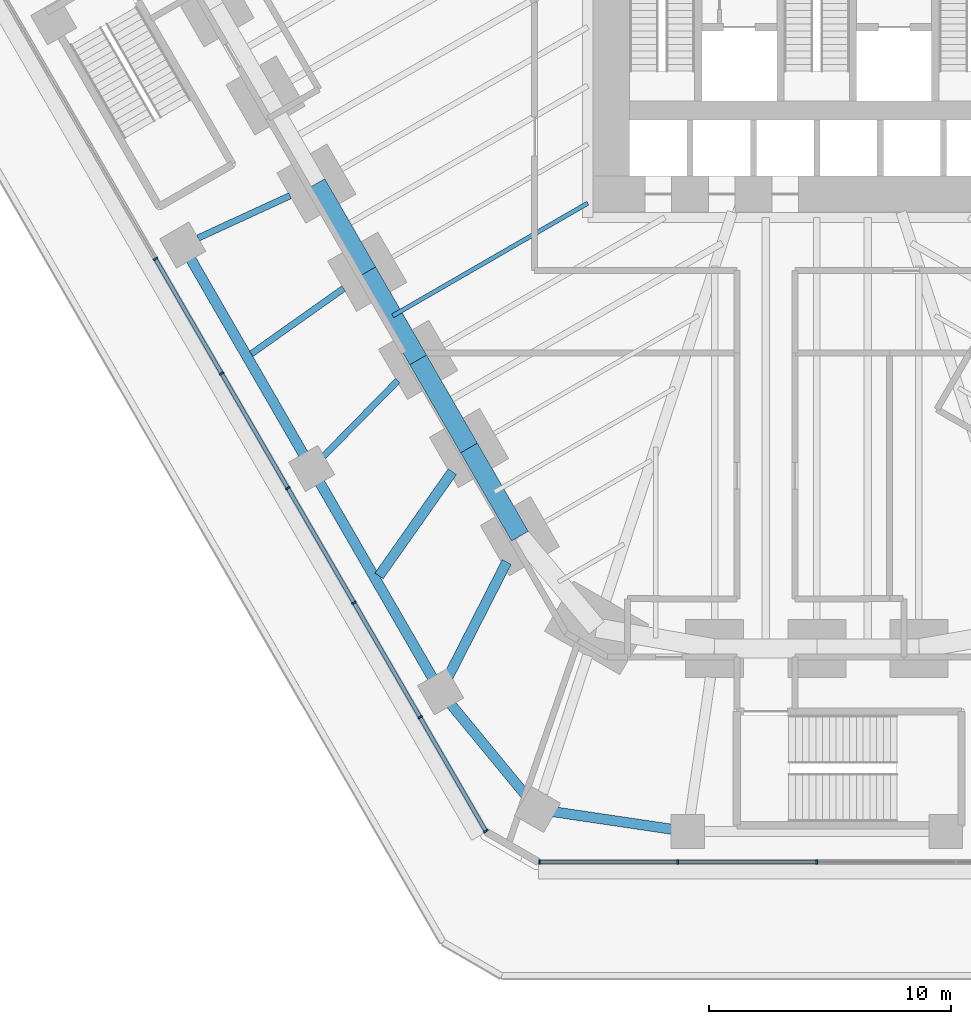
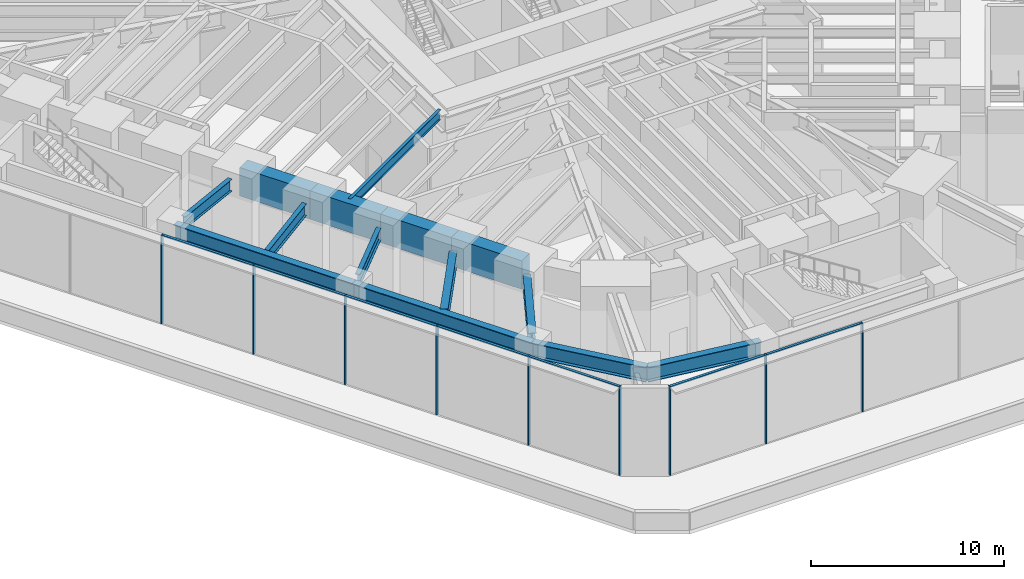
# One storey, part 2 of 24: 16 members, 14 beams, 2 elements without a shape of their own.
"""IFC4 building model written with IfcOpenShell, lengths in metres."""

from ifc_helpers import new_model, si_unit, direction, frame, origin, origin_2d, place, context, subcontext, project, spatial, rectangle, i_section, extrude, material, material_profile, profile_set, type_object, element, aggregate, save


model = new_model("IFC4")

# Units and contexts
model_context = context("Model", 3, precision=1e-05, world=origin(), true_north=direction((0.0, 1.0)))
body_context = subcontext(model_context, "Body", "Model", "MODEL_VIEW")
ifc_project = project(units=[si_unit("LENGTHUNIT", "METRE"), si_unit("AREAUNIT", "SQUARE_METRE"), si_unit("VOLUMEUNIT", "CUBIC_METRE"), si_unit("PLANEANGLEUNIT", "RADIAN"), si_unit("MASSUNIT", "GRAM", prefix="KILO")], contexts=[model_context])

# Site, building, storey
site_placement = place(None, origin())
site = spatial("IfcSite", under=ifc_project, at=site_placement, CompositionType="ELEMENT")
building_placement = place(site_placement, origin())
building = spatial("IfcBuilding", under=site, at=building_placement, Name="Sandreach Pilgrim Tower", CompositionType="ELEMENT")
storey_placement = place(building_placement, frame((0.0, 0.0, 12.0)))
storey = spatial("IfcBuildingStorey", under=building, at=storey_placement, Name="L02", CompositionType="ELEMENT", Elevation=12.0)

# Curtain wall, members
ifc_material_1 = material(Name="Aluminium framed curtain wall", Category="aluminium")
curtain_wall_type = type_object("IfcCurtainWallType", Name="Podium storefront curtain wall", PredefinedType="NOTDEFINED", material=ifc_material_1)
curtain_wall_1_placement = place(storey_placement, origin())
curtain_wall_1 = element("IfcCurtainWall", 1, at=curtain_wall_1_placement, inside=storey, type_object=curtain_wall_type, Name="CW-P L02 S", PredefinedType="NOTDEFINED")
ifc_material_2 = material(Name="Aluminium extrusion", Category="aluminium")
ifc_material_profile_1 = material_profile(ifc_material_2, rectangle(XDim=0.070068359375, YDim=0.199951171875, at=origin_2d()), Name="CW-PM 70X200")
ifc_profile_set_1 = profile_set([ifc_material_profile_1], Name="Aluminium extrusion")
member_type_1 = type_object("IfcMemberType", Name="CW-P mullion", PredefinedType="MULLION", material=ifc_profile_set_1)
member_1_placement = place(storey_placement, frame((0.0, -37.588623046875, 0.0), z_axis=(0.0, 0.0, 1.0), x_axis=(-1.0, 0.0, 0.0)))
member_1 = element("IfcMember", 2, at=member_1_placement, type_object=member_type_1, Name="CW-P mullion 3", PredefinedType="MULLION", context=body_context, shape_type="SweptSolid", body=[
    extrude(rectangle(XDim=0.070068359375, YDim=0.199951171875, at=origin_2d()), origin(), (0.0, 0.0, 1.0), 5.60009765625),
])
member_2_placement = place(storey_placement, frame((-5.754150390625, -37.588623046875, 0.0), z_axis=(0.0, 0.0, 1.0), x_axis=(-1.0, 0.0, 0.0)))
member_2 = element("IfcMember", 3, at=member_2_placement, type_object=member_type_1, Name="CW-P mullion 4", PredefinedType="MULLION", context=body_context, shape_type="SweptSolid", body=[
    extrude(rectangle(XDim=0.070068359375, YDim=0.199951171875, at=origin_2d()), origin(), (0.0, 0.0, 1.0), 5.60009765625),
])
member_3_placement = place(storey_placement, frame((-11.473388671875, -37.588623046875, 0.0), z_axis=(0.0, 0.0, 1.0), x_axis=(-1.0, 0.0, 0.0)))
member_3 = element("IfcMember", 4, at=member_3_placement, type_object=member_type_1, Name="CW-P mullion 5", PredefinedType="MULLION", context=body_context, shape_type="SweptSolid", body=[
    extrude(rectangle(XDim=0.070068359375, YDim=0.199951171875, at=origin_2d()), origin(), (0.0, 0.0, 1.0), 5.60009765625),
])

curtain_wall_2_placement = place(storey_placement, origin())
curtain_wall_2 = element("IfcCurtainWall", 5, at=curtain_wall_2_placement, inside=storey, type_object=curtain_wall_type, Name="CW-P L02 SW", PredefinedType="NOTDEFINED")
member_4_placement = place(storey_placement, frame((-13.69091796875, -36.308349609375, 0.0), z_axis=(0.0, 0.0, 1.0), x_axis=(-0.5, 0.866025403784, 0.0)))
member_4 = element("IfcMember", 6, at=member_4_placement, type_object=member_type_1, Name="CW-P mullion 1", PredefinedType="MULLION", context=body_context, shape_type="SweptSolid", body=[
    extrude(rectangle(XDim=0.070068359375, YDim=0.199951171875, at=origin_2d()), origin(), (0.0, 0.0, 1.0), 5.60009765625),
])
member_5_placement = place(storey_placement, frame((-16.41064453125, -31.597900390625, 0.0), z_axis=(0.0, 0.0, 1.0), x_axis=(-0.5, 0.866025403784, 0.0)))
member_5 = element("IfcMember", 7, at=member_5_placement, type_object=member_type_1, Name="CW-P mullion 2", PredefinedType="MULLION", context=body_context, shape_type="SweptSolid", body=[
    extrude(rectangle(XDim=0.070068359375, YDim=0.199951171875, at=origin_2d()), origin(), (0.0, 0.0, 1.0), 5.60009765625),
])
member_6_placement = place(storey_placement, frame((-19.1474609375, -26.857177734375, 0.0), z_axis=(0.0, 0.0, 1.0), x_axis=(-0.5, 0.866025403784, 0.0)))
member_6 = element("IfcMember", 8, at=member_6_placement, type_object=member_type_1, Name="CW-P mullion 3", PredefinedType="MULLION", context=body_context, shape_type="SweptSolid", body=[
    extrude(rectangle(XDim=0.070068359375, YDim=0.199951171875, at=origin_2d()), origin(), (0.0, 0.0, 1.0), 5.60009765625),
])
member_7_placement = place(storey_placement, frame((-21.884521484375, -22.116455078125, 0.0), z_axis=(0.0, 0.0, 1.0), x_axis=(-0.5, 0.866025403784, 0.0)))
member_7 = element("IfcMember", 9, at=member_7_placement, type_object=member_type_1, Name="CW-P mullion 4", PredefinedType="MULLION", context=body_context, shape_type="SweptSolid", body=[
    extrude(rectangle(XDim=0.070068359375, YDim=0.199951171875, at=origin_2d()), origin(), (0.0, 0.0, 1.0), 5.60009765625),
])
member_8_placement = place(storey_placement, frame((-24.62158203125, -17.375732421875, 0.0), z_axis=(0.0, 0.0, 1.0), x_axis=(-0.5, 0.866025403784, 0.0)))
member_8 = element("IfcMember", 10, at=member_8_placement, type_object=member_type_1, Name="CW-P mullion 5", PredefinedType="MULLION", context=body_context, shape_type="SweptSolid", body=[
    extrude(rectangle(XDim=0.070068359375, YDim=0.199951171875, at=origin_2d()), origin(), (0.0, 0.0, 1.0), 5.60009765625),
])
member_9_placement = place(storey_placement, frame((-27.358642578125, -12.635009765625, 0.0), z_axis=(0.0, 0.0, 1.0), x_axis=(-0.5, 0.866025403784, 0.0)))
member_9 = element("IfcMember", 11, at=member_9_placement, type_object=member_type_1, Name="CW-P mullion 6", PredefinedType="MULLION", context=body_context, shape_type="SweptSolid", body=[
    extrude(rectangle(XDim=0.070068359375, YDim=0.199951171875, at=origin_2d()), origin(), (0.0, 0.0, 1.0), 5.60009765625),
])

# Member
ifc_material_3 = material(Name="Aluminium extrusion", Category="aluminium")
ifc_material_profile_2 = material_profile(ifc_material_3, rectangle(XDim=0.159912109375, YDim=0.070068359375, at=origin_2d()), Name="CW-PT 160X70")
ifc_profile_set_2 = profile_set([ifc_material_profile_2], Name="Aluminium extrusion")
member_type_2 = type_object("IfcMemberType", Name="CW-P transom", PredefinedType="USERDEFINED", material=ifc_profile_set_2)
member_10_placement = place(storey_placement, frame((-0.034912109375, -37.588623046875, 5.56494140625), z_axis=(-1.0, 0.0, 0.0), x_axis=(0.0, -1.0, 0.0)))
member_10 = element("IfcMember", 12, at=member_10_placement, type_object=member_type_2, Name="CW-P head transom 3", ObjectType="TRANSOM", PredefinedType="USERDEFINED", context=body_context, shape_type="SweptSolid", body=[
    extrude(rectangle(XDim=0.159912109375, YDim=0.070068359375, at=origin_2d()), origin(), (0.0, 0.0, 1.0), 5.684326171875),
])

member_11_placement = place(storey_placement, frame((-5.789306640625, -37.588623046875, 5.56494140625), z_axis=(-1.0, 0.0, 0.0), x_axis=(0.0, -1.0, 0.0)))
member_11 = element("IfcMember", 13, at=member_11_placement, type_object=member_type_2, Name="CW-P head transom 4", ObjectType="TRANSOM", PredefinedType="USERDEFINED", context=body_context, shape_type="SweptSolid", body=[
    extrude(rectangle(XDim=0.159912109375, YDim=0.070068359375, at=origin_2d()), origin(), (0.0, 0.0, 1.0), 5.649169921875),
])

aggregate(curtain_wall_1, [member_1, member_2, member_3, member_10, member_11])

member_12_placement = place(storey_placement, frame((-13.70849609375, -36.278076171875, 5.56494140625), z_axis=(-0.499992728342, 0.866029602037, 0.0), x_axis=(-0.866029602037, -0.499992728342, 0.0)))
member_12 = element("IfcMember", 14, at=member_12_placement, type_object=member_type_2, Name="CW-P head transom 1", ObjectType="TRANSOM", PredefinedType="USERDEFINED", context=body_context, shape_type="SweptSolid", body=[
    extrude(rectangle(XDim=0.159912109375, YDim=0.070068359375, at=origin_2d()), origin(), (0.0, 0.0, 1.0), 5.369140625),
])

member_13_placement = place(storey_placement, frame((-16.427978515625, -31.567626953125, 5.56494140625), z_axis=(-0.500006618465, 0.866021582578, 0.0), x_axis=(-0.866021582578, -0.500006618465, 0.0)))
member_13 = element("IfcMember", 15, at=member_13_placement, type_object=member_type_2, Name="CW-P head transom 2", ObjectType="TRANSOM", PredefinedType="USERDEFINED", context=body_context, shape_type="SweptSolid", body=[
    extrude(rectangle(XDim=0.159912109375, YDim=0.070068359375, at=origin_2d()), origin(), (0.0, 0.0, 1.0), 5.404296875),
])

member_14_placement = place(storey_placement, frame((-19.1650390625, -26.826904296875, 5.56494140625), z_axis=(-0.500006618465, 0.866021582578, 0.0), x_axis=(-0.866021582578, -0.500006618465, 0.0)))
member_14 = element("IfcMember", 16, at=member_14_placement, type_object=member_type_2, Name="CW-P head transom 3", ObjectType="TRANSOM", PredefinedType="USERDEFINED", context=body_context, shape_type="SweptSolid", body=[
    extrude(rectangle(XDim=0.159912109375, YDim=0.070068359375, at=origin_2d()), origin(), (0.0, 0.0, 1.0), 5.404296875),
])

member_15_placement = place(storey_placement, frame((-21.902099609375, -22.086181640625, 5.56494140625), z_axis=(-0.500006618465, 0.866021582578, 0.0), x_axis=(-0.866021582578, -0.500006618465, 0.0)))
member_15 = element("IfcMember", 17, at=member_15_placement, type_object=member_type_2, Name="CW-P head transom 4", ObjectType="TRANSOM", PredefinedType="USERDEFINED", context=body_context, shape_type="SweptSolid", body=[
    extrude(rectangle(XDim=0.159912109375, YDim=0.070068359375, at=origin_2d()), origin(), (0.0, 0.0, 1.0), 5.404296875),
])

member_16_placement = place(storey_placement, frame((-24.63916015625, -17.345458984375, 5.56494140625), z_axis=(-0.500006618465, 0.866021582578, 0.0), x_axis=(-0.866021582578, -0.500006618465, 0.0)))
member_16 = element("IfcMember", 18, at=member_16_placement, type_object=member_type_2, Name="CW-P head transom 5", ObjectType="TRANSOM", PredefinedType="USERDEFINED", context=body_context, shape_type="SweptSolid", body=[
    extrude(rectangle(XDim=0.159912109375, YDim=0.070068359375, at=origin_2d()), origin(), (0.0, 0.0, 1.0), 5.404296875),
])

aggregate(curtain_wall_2, [member_4, member_5, member_6, member_7, member_8, member_9, member_12, member_13, member_14, member_15, member_16])

# Beams
ifc_material_4 = material(Name="Steel ASTM A992 Grade 50", Category="steel")
ifc_material_profile_3 = material_profile(ifc_material_4, i_section(OverallWidth=0.1787109375, OverallDepth=0.60205078125, WebThickness=0.010986328125, FlangeThickness=0.014892578125, at=origin_2d()), Name="W24X62")
ifc_profile_set_3 = profile_set([ifc_material_profile_3], Name="Steel ASTM A992 Grade 50")
beam_type_1 = type_object("IfcBeamType", Name="Floor beam W24X62", PredefinedType="BEAM", material=ifc_profile_set_3)
beam_1_placement = place(storey_placement, frame((-17.5439453125, -14.990234375, 5.5390625), z_axis=(0.866018083415, 0.500012679037, 0.0), x_axis=(-0.500012679037, 0.866018083415, 0.0)))
element("IfcBeam", 19, at=beam_1_placement, inside=storey, type_object=beam_type_1, Name="BM L02 FM29", PredefinedType="BEAM", context=body_context, shape_type="SweptSolid", body=[
    extrude(i_section(OverallWidth=0.1787109375, OverallDepth=0.60205078125, WebThickness=0.010986328125, FlangeThickness=0.014892578125, at=origin_2d()), origin(), (0.0, 0.0, 1.0), 9.320556640625),
])
ifc_material_5 = material(Name="Steel ASTM A992 Grade 50", Category="steel")
ifc_material_profile_4 = material_profile(ifc_material_5, i_section(OverallWidth=0.2666015625, OverallDepth=0.7568359375, WebThickness=0.013916015625, FlangeThickness=0.019287109375, at=origin_2d()), Name="W30X108")
ifc_profile_set_4 = profile_set([ifc_material_profile_4], Name="Steel ASTM A992 Grade 50")
beam_type_2 = type_object("IfcBeamType", Name="Podium beam W30X108", PredefinedType="BEAM", material=ifc_profile_set_4)
beam_2_placement = place(storey_placement, frame((-17.331787109375, -17.669921875, 5.221435546875), z_axis=(-0.700265324853, -0.713882675801, 0.0), x_axis=(0.713882675801, -0.700265324853, 0.0)))
element("IfcBeam", 20, at=beam_2_placement, inside=storey, type_object=beam_type_2, Name="BM L02 PR125-29", PredefinedType="BEAM", context=body_context, shape_type="SweptSolid", body=[
    extrude(i_section(OverallWidth=0.2666015625, OverallDepth=0.7568359375, WebThickness=0.013916015625, FlangeThickness=0.019287109375, at=origin_2d()), origin(), (0.0, 0.0, 1.0), 4.392578125),
])
beam_3_placement = place(storey_placement, frame((-19.575927734375, -13.86083984375, 5.221435546875), z_axis=(-0.816139386299, -0.577855087484, 0.0), x_axis=(0.577855087484, -0.816139386299, 0.0)))
element("IfcBeam", 21, at=beam_3_placement, inside=storey, type_object=beam_type_2, Name="BM L02 PR125-30", PredefinedType="BEAM", context=body_context, shape_type="SweptSolid", body=[
    extrude(i_section(OverallWidth=0.2666015625, OverallDepth=0.7568359375, WebThickness=0.013916015625, FlangeThickness=0.019287109375, at=origin_2d()), origin(), (0.0, 0.0, 1.0), 4.67626953125),
])
beam_4_placement = place(storey_placement, frame((-21.791748046875, -10.02294921875, 5.221435546875), z_axis=(-0.908514796511, -0.417852682797, 0.0), x_axis=(0.417852682797, -0.908514796511, 0.0)))
element("IfcBeam", 22, at=beam_4_placement, inside=storey, type_object=beam_type_2, Name="BM L02 PR125-31", PredefinedType="BEAM", context=body_context, shape_type="SweptSolid", body=[
    extrude(i_section(OverallWidth=0.2666015625, OverallDepth=0.7568359375, WebThickness=0.013916015625, FlangeThickness=0.019287109375, at=origin_2d()), origin(), (0.0, 0.0, 1.0), 4.18798828125),
])
ifc_material_6 = material(Name="Steel ASTM A992 Grade 50", Category="steel")
ifc_material_profile_5 = material_profile(ifc_material_6, i_section(OverallWidth=0.419189453125, OverallDepth=0.927001953125, WebThickness=0.019287109375, FlangeThickness=0.031982421875, at=origin_2d()), Name="W36X231")
ifc_profile_set_5 = profile_set([ifc_material_profile_5], Name="Steel ASTM A992 Grade 50")
beam_type_3 = type_object("IfcBeamType", Name="Podium beam W36X231", PredefinedType="BEAM", material=ifc_profile_set_5)
beam_5_placement = place(storey_placement, frame((-12.826416015625, -25.17431640625, 5.136474609375), z_axis=(-0.453982064466, -0.891010822125, 0.0), x_axis=(0.891010822125, -0.453982064466, 0.0)))
element("IfcBeam", 23, at=beam_5_placement, inside=storey, type_object=beam_type_3, Name="BM L02 PR125-27", PredefinedType="BEAM", context=body_context, shape_type="SweptSolid", body=[
    extrude(i_section(OverallWidth=0.419189453125, OverallDepth=0.927001953125, WebThickness=0.019287109375, FlangeThickness=0.031982421875, at=origin_2d()), origin(), (0.0, 0.0, 1.0), 5.328369140625),
])
beam_6_placement = place(storey_placement, frame((-15.076904296875, -21.440673828125, 5.136474609375), z_axis=(-0.575223731199, -0.817996124114, 0.0), x_axis=(0.817996124114, -0.575223731199, 0.0)))
element("IfcBeam", 24, at=beam_6_placement, inside=storey, type_object=beam_type_3, Name="BM L02 PR125-28", PredefinedType="BEAM", context=body_context, shape_type="SweptSolid", body=[
    extrude(i_section(OverallWidth=0.419189453125, OverallDepth=0.927001953125, WebThickness=0.019287109375, FlangeThickness=0.031982421875, at=origin_2d()), origin(), (0.0, 0.0, 1.0), 5.2705078125),
])
ifc_material_7 = material(Name="Steel ASTM A992 Grade 50", Category="steel")
ifc_material_profile_6 = material_profile(ifc_material_7, i_section(OverallWidth=0.419189453125, OverallDepth=0.927001953125, WebThickness=0.019287109375, FlangeThickness=0.031982421875, at=origin_2d()), Name="W36X231")
ifc_profile_set_6 = profile_set([ifc_material_profile_6], Name="Steel ASTM A992 Grade 50")
beam_type_4 = type_object("IfcBeamType", Name="Podium edge beam W36X231", PredefinedType="BEAM", material=ifc_profile_set_6)
beam_7_placement = place(storey_placement, frame((-5.335205078125, -36.32861328125, 5.136474609375), z_axis=(-0.989232407401, 0.146353148743, 0.0), x_axis=(-0.146353148743, -0.989232407401, 0.0)))
element("IfcBeam", 25, at=beam_7_placement, inside=storey, type_object=beam_type_4, Name="BM L02 PE125-25", PredefinedType="BEAM", context=body_context, shape_type="SweptSolid", body=[
    extrude(i_section(OverallWidth=0.419189453125, OverallDepth=0.927001953125, WebThickness=0.019287109375, FlangeThickness=0.031982421875, at=origin_2d()), origin(), (0.0, 0.0, 1.0), 6.29052734375),
])
beam_8_placement = place(storey_placement, frame((-11.55810546875, -35.407958984375, 5.136474609375), z_axis=(-0.635790114851, 0.771861988867, 0.0), x_axis=(-0.771861988867, -0.635790114851, 0.0)))
element("IfcBeam", 26, at=beam_8_placement, inside=storey, type_object=beam_type_4, Name="BM L02 PE125-26", PredefinedType="BEAM", context=body_context, shape_type="SweptSolid", body=[
    extrude(i_section(OverallWidth=0.419189453125, OverallDepth=0.927001953125, WebThickness=0.019287109375, FlangeThickness=0.031982421875, at=origin_2d()), origin(), (0.0, 0.0, 1.0), 6.299560546875),
])
ifc_material_8 = material(Name="Steel ASTM A992 Grade 50", Category="steel")
ifc_material_profile_7 = material_profile(ifc_material_8, i_section(OverallWidth=0.424072265625, OverallDepth=0.947509765625, WebThickness=0.02392578125, FlangeThickness=0.042724609375, at=origin_2d()), Name="W36X302")
ifc_profile_set_7 = profile_set([ifc_material_profile_7], Name="Steel ASTM A992 Grade 50")
beam_type_5 = type_object("IfcBeamType", Name="Podium edge beam W36X302", PredefinedType="BEAM", material=ifc_profile_set_7)
beam_9_placement = place(storey_placement, frame((-15.563232421875, -30.545654296875, 5.126220703125), z_axis=(-0.499990509939, 0.866030882805, 0.0), x_axis=(-0.866030882805, -0.499990509939, 0.0)))
element("IfcBeam", 27, at=beam_9_placement, inside=storey, type_object=beam_type_5, Name="BM L02 PE125-27", PredefinedType="BEAM", context=body_context, shape_type="SweptSolid", body=[
    extrude(i_section(OverallWidth=0.424072265625, OverallDepth=0.947509765625, WebThickness=0.02392578125, FlangeThickness=0.042724609375, at=origin_2d()), origin(), (0.0, 0.0, 1.0), 10.669677734375),
])
beam_10_placement = place(storey_placement, frame((-20.89794921875, -21.305419921875, 5.126220703125), z_axis=(-0.500000418093, 0.866025162398, 0.0), x_axis=(-0.866025162398, -0.500000418093, 0.0)))
element("IfcBeam", 28, at=beam_10_placement, inside=storey, type_object=beam_type_5, Name="BM L02 PE125-29", PredefinedType="BEAM", context=body_context, shape_type="SweptSolid", body=[
    extrude(i_section(OverallWidth=0.424072265625, OverallDepth=0.947509765625, WebThickness=0.02392578125, FlangeThickness=0.042724609375, at=origin_2d()), origin(), (0.0, 0.0, 1.0), 10.66943359375),
])
ifc_material_9 = material(Name="Concrete 10000 psi", Category="concrete")
ifc_material_profile_8 = material_profile(ifc_material_9, rectangle(XDim=0.800048828125, YDim=1.800048828125, at=origin_2d()), Name="RC800X1800")
ifc_profile_set_8 = profile_set([ifc_material_profile_8], Name="Concrete 10000 psi")
beam_type_6 = type_object("IfcBeamType", Name="Spandrel beam RC800X1800", PredefinedType="SPANDREL", material=ifc_profile_set_8)
beam_11_placement = place(storey_placement, frame((-12.28173828125, -24.10498046875, 4.93994140625), z_axis=(-0.499993523031, 0.866029143232, 0.0), x_axis=(-0.866029143232, -0.499993523031, 0.0)))
element("IfcBeam", 29, at=beam_11_placement, inside=storey, type_object=beam_type_6, Name="BM L02 SP27", PredefinedType="SPANDREL", context=body_context, shape_type="SweptSolid", body=[
    extrude(rectangle(XDim=0.800048828125, YDim=1.800048828125, at=origin_2d()), origin(), (0.0, 0.0, 1.0), 4.2099609375),
])
beam_12_placement = place(storey_placement, frame((-14.38671875, -20.458984375, 4.93994140625), z_axis=(-0.499975138639, 0.866039757022, 0.0), x_axis=(-0.866039757022, -0.499975138639, 0.0)))
element("IfcBeam", 30, at=beam_12_placement, inside=storey, type_object=beam_type_6, Name="BM L02 SP28", PredefinedType="SPANDREL", context=body_context, shape_type="SweptSolid", body=[
    extrude(rectangle(XDim=0.800048828125, YDim=1.800048828125, at=origin_2d()), origin(), (0.0, 0.0, 1.0), 4.209716796875),
])
beam_13_placement = place(storey_placement, frame((-16.491455078125, -16.813232421875, 4.93994140625), z_axis=(-0.499993523031, 0.866029143232, 0.0), x_axis=(-0.866029143232, -0.499993523031, 0.0)))
element("IfcBeam", 31, at=beam_13_placement, inside=storey, type_object=beam_type_6, Name="BM L02 SP29", PredefinedType="SPANDREL", context=body_context, shape_type="SweptSolid", body=[
    extrude(rectangle(XDim=0.800048828125, YDim=1.800048828125, at=origin_2d()), origin(), (0.0, 0.0, 1.0), 4.2099609375),
])
beam_14_placement = place(storey_placement, frame((-18.596435546875, -13.167236328125, 4.93994140625), z_axis=(-0.50001863446, 0.866014644907, 0.0), x_axis=(-0.866014644907, -0.50001863446, 0.0)))
element("IfcBeam", 32, at=beam_14_placement, inside=storey, type_object=beam_type_6, Name="BM L02 SP30", PredefinedType="SPANDREL", context=body_context, shape_type="SweptSolid", body=[
    extrude(rectangle(XDim=0.800048828125, YDim=1.800048828125, at=origin_2d()), origin(), (0.0, 0.0, 1.0), 4.209716796875),
])

save(model, "model.ifc")
